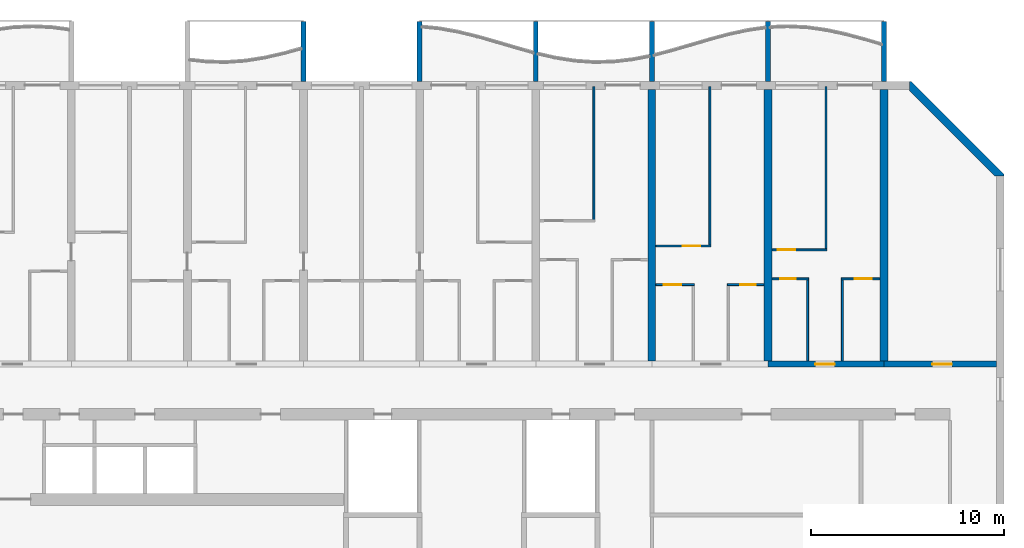
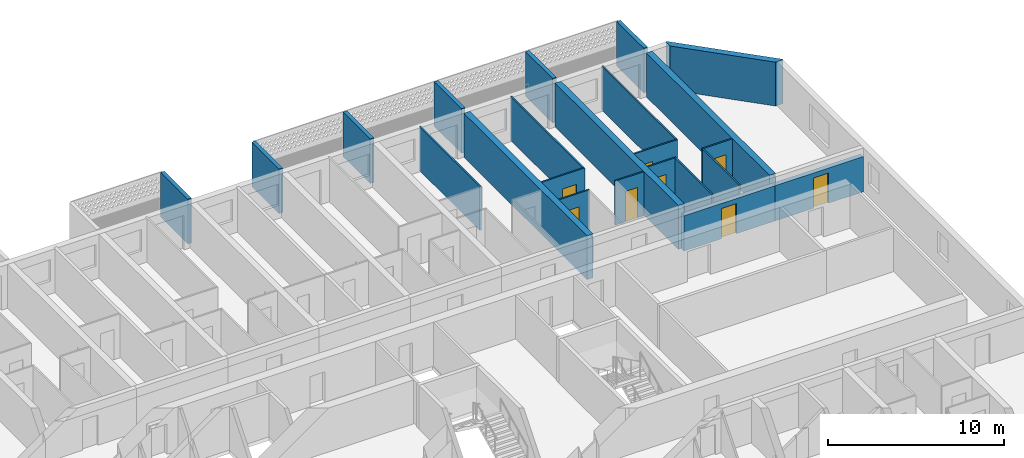
# One storey, part 17 of 40: 23 walls, 8 doors, 8 openings.
"""IFC4 building model written with IfcOpenShell, lengths in metres."""

from ifc_helpers import new_model, si_unit, direction, frame, frame_2d, origin, place, context, subcontext, project, spatial, polyline, rectangle, outline, extrude, source, transform, mapped, material, layer, layer_set, type_object, element, fill, save


model = new_model("IFC4")

# Units and contexts
model_context = context("Model", 3, precision=1e-05, world=origin(), true_north=direction((0.0, 1.0)))
body_context = subcontext(model_context, "Body", "Model", "MODEL_VIEW")
ifc_project = project(units=[si_unit("LENGTHUNIT", "METRE"), si_unit("AREAUNIT", "SQUARE_METRE"), si_unit("VOLUMEUNIT", "CUBIC_METRE"), si_unit("PLANEANGLEUNIT", "RADIAN"), si_unit("MASSUNIT", "GRAM", prefix="KILO")], contexts=[model_context])

# Site, building, storey
site_placement = place(None, origin())
site = spatial("IfcSite", under=ifc_project, at=site_placement, CompositionType="ELEMENT")
building_placement = place(site_placement, origin())
building = spatial("IfcBuilding", under=site, at=building_placement, Name="Poui Terraces", CompositionType="ELEMENT")
storey_placement = place(building_placement, frame((0.0, 0.0, 33.300048828125)))
storey = spatial("IfcBuildingStorey", under=building, at=storey_placement, Name="L08", CompositionType="ELEMENT", Elevation=33.300048828125)

# Wall, opening, door
ifc_material_1 = material(Name="Concrete 80 MPa", Category="concrete")
ifc_layer_1 = layer(ifc_material_1, 0.300048828125)
ifc_layer_set_1 = layer_set([ifc_layer_1], Name="Concrete 80 MPa")
wall_type_1 = type_object("IfcWallType", Name="CORRIDOR WALL 300 80MPa", PredefinedType="SHEAR", material=ifc_layer_set_1)
wall_1_placement = place(storey_placement, frame((90.0, 30.39990234375, 0.0), z_axis=(0.0, 0.0, 1.0), x_axis=(1.0, 0.0, 0.0)))
wall_1 = element("IfcWall", 1, at=wall_1_placement, inside=storey, type_object=wall_type_1, Name="CORRIDOR WALL LINE E BAY 16", PredefinedType="SHEAR", context=body_context, shape_type="SweptSolid", body=[
    extrude(rectangle(XDim=6.0, YDim=0.300048828125, at=frame_2d((3.0, 0.0))), origin(), (0.0, 0.0, 1.0), 2.449951171875),
])
opening_1_placement = place(wall_1_placement, frame((2.449951171875, 0.0, 0.0)))
opening_1 = element("IfcOpeningElement", 2, at=opening_1_placement, cuts=wall_1, Name="Opening FD30S", PredefinedType="OPENING", context=body_context, shape_type="SweptSolid", body=[
    extrude(rectangle(XDim=1.0, YDim=2.10009765625, at=frame_2d((0.5, 1.050048828125))), frame((0.0, 0.16015625, 0.0), z_axis=(0.0, -1.0, 0.0), x_axis=(1.0, 0.0, 0.0)), (0.0, 0.0, 1.0), 0.320068359375),
])
ifc_material_2 = material(Name="Steel fire door", Category="steel")
door_type_1 = type_object("IfcDoorType", Name="FLAT ENTRANCE DOOR 1000 X 2100", OperationType="NOTDEFINED", PredefinedType="DOOR", material=ifc_material_2)
door_1_placement = place(opening_1_placement, origin())
door_1 = element("IfcDoor", 3, at=door_1_placement, inside=storey, type_object=door_type_1, Name="FLAT ENTRANCE DOOR 087", OperationType="SINGLE_SWING_LEFT", OverallHeight=2.10009765625, OverallWidth=1.0, PredefinedType="DOOR", context=body_context, shape_type="SweptSolid", body=[
    extrude(rectangle(XDim=1.0, YDim=2.10009765625, at=frame_2d((0.5, 1.050048828125))), frame((0.0, 0.02490234375, 0.0), z_axis=(0.0, -1.0, 0.0), x_axis=(1.0, 0.0, 0.0)), (0.0, 0.0, 1.0), 0.050048828125),
])
fill(opening_1, door_1)

wall_2_placement = place(storey_placement, frame((96.0, 30.39990234375, 0.0), z_axis=(0.0, 0.0, 1.0), x_axis=(1.0, 0.0, 0.0)))
wall_2 = element("IfcWall", 4, at=wall_2_placement, inside=storey, type_object=wall_type_1, Name="CORRIDOR WALL LINE E BAY 17", PredefinedType="SHEAR", context=body_context, shape_type="SweptSolid", body=[
    extrude(rectangle(XDim=5.800048828125, YDim=0.300048828125, at=frame_2d((2.89990234375, 0.0))), origin(), (0.0, 0.0, 1.0), 2.449951171875),
])
opening_2_placement = place(wall_2_placement, frame((2.5, 0.0, 0.0)))
opening_2 = element("IfcOpeningElement", 5, at=opening_2_placement, cuts=wall_2, Name="Opening D100", PredefinedType="OPENING", context=body_context, shape_type="SweptSolid", body=[
    extrude(rectangle(XDim=1.0, YDim=2.10009765625, at=frame_2d((0.5, 1.050048828125))), frame((0.0, 0.16015625, 0.0), z_axis=(0.0, -1.0, 0.0), x_axis=(1.0, 0.0, 0.0)), (0.0, 0.0, 1.0), 0.320068359375),
])
ifc_material_3 = material(Name="Solid core timber door", Category="wood")
door_type_2 = type_object("IfcDoorType", Name="ACCESSIBLE INTERNAL DOOR 1000 X 2100", OperationType="NOTDEFINED", PredefinedType="DOOR", material=ifc_material_3)
door_2_placement = place(opening_2_placement, origin())
door_2 = element("IfcDoor", 6, at=door_2_placement, inside=storey, type_object=door_type_2, Name="ACCESSIBLE INTERNAL DOOR 089", OperationType="SINGLE_SWING_LEFT", OverallHeight=2.10009765625, OverallWidth=1.0, PredefinedType="DOOR", context=body_context, shape_type="SweptSolid", body=[
    extrude(rectangle(XDim=1.0, YDim=2.10009765625, at=frame_2d((0.5, 1.050048828125))), frame((0.0, 0.02490234375, 0.0), z_axis=(0.0, -1.0, 0.0), x_axis=(1.0, 0.0, 0.0)), (0.0, 0.0, 1.0), 0.050048828125),
])
fill(opening_2, door_2)

# Walls
ifc_layer_2 = layer(ifc_material_1, 0.39990234375)
ifc_layer_set_2 = layer_set([ifc_layer_2], Name="Concrete 80 MPa")
wall_type_2 = type_object("IfcWallType", Name="CROSS WALL 400 80MPa", PredefinedType="SHEAR", material=ifc_layer_set_2)
for number, where, z_axis, x_axis, name in (
    (7, (84.0, 30.550048828125, 0.0), (0.0, 0.0, 1.0), (0.0, 1.0, 0.0), "CROSS WALL LINE 15 NORTH"),
    (8, (90.0, 30.550048828125, 0.0), (0.0, 0.0, 1.0), (0.0, 1.0, 0.0), "CROSS WALL LINE 16 NORTH"),
    (9, (96.0, 30.550048828125, 0.0), (0.0, 0.0, 1.0), (0.0, 1.0, 0.0), "CROSS WALL LINE 17 NORTH"),
):
    element("IfcWall", number, at=place(storey_placement, frame(where, z_axis=z_axis, x_axis=x_axis)), inside=storey, type_object=wall_type_2, Name=name, PredefinedType="SHEAR", context=body_context, shape_type="SweptSolid", body=[
        extrude(rectangle(XDim=14.050048828125, YDim=0.39990234375, at=frame_2d((7.02490234375, 0.0))), origin(), (0.0, 0.0, 1.0), 3.050048828125),
    ])

# Wall, opening, door
ifc_material_4 = material(Name="Plasterboard partition")
ifc_layer_3 = layer(ifc_material_4, 0.10009765625)
ifc_layer_set_3 = layer_set([ifc_layer_3], Name="Plasterboard partition")
wall_type_3 = type_object("IfcWallType", Name="FLAT PARTITION 100", PredefinedType="PARTITIONING", material=ifc_layer_set_3)
wall_3_placement = place(storey_placement, frame((84.2099609375, 34.5, 0.0), z_axis=(0.0, 0.0, 1.0), x_axis=(1.0, 0.0, 0.0)))
wall_3 = element("IfcWall", 10, at=wall_3_placement, inside=storey, type_object=wall_type_3, Name="FLAT PARTITION 100", PredefinedType="PARTITIONING", context=body_context, shape_type="SweptSolid", body=[
    extrude(rectangle(XDim=1.989990234375, YDim=0.10009765625, at=frame_2d((0.9951171875, 0.0))), origin(), (0.0, 0.0, 1.0), 3.050048828125),
])
opening_3_placement = place(wall_3_placement, frame((0.4150390625, 0.0, 0.0)))
opening_3 = element("IfcOpeningElement", 11, at=opening_3_placement, cuts=wall_3, Name="Opening D90", PredefinedType="OPENING", context=body_context, shape_type="SweptSolid", body=[
    extrude(rectangle(XDim=0.89990234375, YDim=2.10009765625, at=frame_2d((0.449951171875, 1.050048828125))), frame((0.0, 0.06005859375, 0.0), z_axis=(0.0, -1.0, 0.0), x_axis=(1.0, 0.0, 0.0)), (0.0, 0.0, 1.0), 0.1201171875),
])
door_type_3 = type_object("IfcDoorType", Name="INTERNAL DOOR 900 X 2100", OperationType="NOTDEFINED", PredefinedType="DOOR", material=ifc_material_3)
door_3_placement = place(opening_3_placement, frame((0.89990234375, 0.0, 0.0), z_axis=(0.0, 0.0, 1.0), x_axis=(-1.0, 0.0, 0.0)))
door_3 = element("IfcDoor", 12, at=door_3_placement, inside=storey, type_object=door_type_3, Name="INTERNAL DOOR 081", OperationType="SINGLE_SWING_LEFT", OverallHeight=2.10009765625, OverallWidth=0.89990234375, PredefinedType="DOOR", context=body_context, shape_type="SweptSolid", body=[
    extrude(rectangle(XDim=0.89990234375, YDim=2.10009765625, at=frame_2d((0.449951171875, 1.050048828125))), frame((0.0, 0.02490234375, 0.0), z_axis=(0.0, -1.0, 0.0), x_axis=(1.0, 0.0, 0.0)), (0.0, 0.0, 1.0), 0.050048828125),
])
fill(opening_3, door_3)

wall_4_placement = place(storey_placement, frame((87.89990234375, 34.5, 0.0), z_axis=(0.0, 0.0, 1.0), x_axis=(1.0, 0.0, 0.0)))
wall_4 = element("IfcWall", 13, at=wall_4_placement, inside=storey, type_object=wall_type_3, Name="FLAT PARTITION 100", PredefinedType="PARTITIONING", context=body_context, shape_type="SweptSolid", body=[
    extrude(rectangle(XDim=1.89013671875, YDim=0.10009765625, at=frame_2d((0.945068359375, 0.0))), origin(), (0.0, 0.0, 1.0), 3.050048828125),
])
opening_4_placement = place(wall_4_placement, frame((0.675048828125, 0.0, 0.0)))
opening_4 = element("IfcOpeningElement", 14, at=opening_4_placement, cuts=wall_4, Name="Opening D80", PredefinedType="OPENING", context=body_context, shape_type="SweptSolid", body=[
    extrude(rectangle(XDim=0.800048828125, YDim=2.10009765625, at=frame_2d((0.39990234375, 1.050048828125))), frame((0.0, 0.06005859375, 0.0), z_axis=(0.0, -1.0, 0.0), x_axis=(1.0, 0.0, 0.0)), (0.0, 0.0, 1.0), 0.1201171875),
])
door_type_4 = type_object("IfcDoorType", Name="BATHROOM, LAUNDRY AND STORE DOOR 800 X 2100", OperationType="NOTDEFINED", PredefinedType="DOOR", material=ifc_material_3)
door_4_placement = place(opening_4_placement, frame((0.800048828125, 0.0, 0.0), z_axis=(0.0, 0.0, 1.0), x_axis=(-1.0, 0.0, 0.0)))
door_4 = element("IfcDoor", 15, at=door_4_placement, inside=storey, type_object=door_type_4, Name="BATHROOM, LAUNDRY AND STORE DOOR 084", OperationType="SINGLE_SWING_RIGHT", OverallHeight=2.10009765625, OverallWidth=0.800048828125, PredefinedType="DOOR", context=body_context, shape_type="SweptSolid", body=[
    extrude(rectangle(XDim=0.800048828125, YDim=2.10009765625, at=frame_2d((0.39990234375, 1.050048828125))), frame((0.0, 0.02490234375, 0.0), z_axis=(0.0, -1.0, 0.0), x_axis=(1.0, 0.0, 0.0)), (0.0, 0.0, 1.0), 0.050048828125),
])
fill(opening_4, door_4)

wall_5_placement = place(storey_placement, frame((90.2099609375, 34.800048828125, 0.0), z_axis=(0.0, 0.0, 1.0), x_axis=(1.0, 0.0, 0.0)))
wall_5 = element("IfcWall", 16, at=wall_5_placement, inside=storey, type_object=wall_type_3, Name="FLAT PARTITION 100", PredefinedType="PARTITIONING", context=body_context, shape_type="SweptSolid", body=[
    extrude(rectangle(XDim=1.89013671875, YDim=0.10009765625, at=frame_2d((0.945068359375, 0.0))), origin(), (0.0, 0.0, 1.0), 3.050048828125),
])
opening_5_placement = place(wall_5_placement, frame((0.4150390625, 0.0, 0.0)))
opening_5 = element("IfcOpeningElement", 17, at=opening_5_placement, cuts=wall_5, Name="Opening D80", PredefinedType="OPENING", context=body_context, shape_type="SweptSolid", body=[
    extrude(rectangle(XDim=0.800048828125, YDim=2.10009765625, at=frame_2d((0.39990234375, 1.050048828125))), frame((0.0, 0.06005859375, 0.0), z_axis=(0.0, -1.0, 0.0), x_axis=(1.0, 0.0, 0.0)), (0.0, 0.0, 1.0), 0.1201171875),
])
door_5_placement = place(opening_5_placement, frame((0.800048828125, 0.0, 0.0), z_axis=(0.0, 0.0, 1.0), x_axis=(-1.0, 0.0, 0.0)))
door_5 = element("IfcDoor", 18, at=door_5_placement, inside=storey, type_object=door_type_4, Name="BATHROOM, LAUNDRY AND STORE DOOR 086", OperationType="SINGLE_SWING_RIGHT", OverallHeight=2.10009765625, OverallWidth=0.800048828125, PredefinedType="DOOR", context=body_context, shape_type="SweptSolid", body=[
    extrude(rectangle(XDim=0.800048828125, YDim=2.10009765625, at=frame_2d((0.39990234375, 1.050048828125))), frame((0.0, 0.02490234375, 0.0), z_axis=(0.0, -1.0, 0.0), x_axis=(1.0, 0.0, 0.0)), (0.0, 0.0, 1.0), 0.050048828125),
])
fill(opening_5, door_5)

wall_6_placement = place(storey_placement, frame((93.800048828125, 34.800048828125, 0.0), z_axis=(0.0, 0.0, 1.0), x_axis=(1.0, 0.0, 0.0)))
wall_6 = element("IfcWall", 19, at=wall_6_placement, inside=storey, type_object=wall_type_3, Name="FLAT PARTITION 100", PredefinedType="PARTITIONING", context=body_context, shape_type="SweptSolid", body=[
    extrude(rectangle(XDim=1.989990234375, YDim=0.10009765625, at=frame_2d((0.9951171875, 0.0))), origin(), (0.0, 0.0, 1.0), 3.050048828125),
])
opening_6_placement = place(wall_6_placement, frame((0.675048828125, 0.0, 0.0)))
opening_6 = element("IfcOpeningElement", 20, at=opening_6_placement, cuts=wall_6, Name="Opening D90", PredefinedType="OPENING", context=body_context, shape_type="SweptSolid", body=[
    extrude(rectangle(XDim=0.89990234375, YDim=2.10009765625, at=frame_2d((0.449951171875, 1.050048828125))), frame((0.0, 0.06005859375, 0.0), z_axis=(0.0, -1.0, 0.0), x_axis=(1.0, 0.0, 0.0)), (0.0, 0.0, 1.0), 0.1201171875),
])
door_6_placement = place(opening_6_placement, frame((0.89990234375, 0.0, 0.0), z_axis=(0.0, 0.0, 1.0), x_axis=(-1.0, 0.0, 0.0)))
door_6 = element("IfcDoor", 21, at=door_6_placement, inside=storey, type_object=door_type_3, Name="INTERNAL DOOR 088", OperationType="SINGLE_SWING_LEFT", OverallHeight=2.10009765625, OverallWidth=0.89990234375, PredefinedType="DOOR", context=body_context, shape_type="SweptSolid", body=[
    extrude(rectangle(XDim=0.89990234375, YDim=2.10009765625, at=frame_2d((0.449951171875, 1.050048828125))), frame((0.0, 0.02490234375, 0.0), z_axis=(0.0, -1.0, 0.0), x_axis=(1.0, 0.0, 0.0)), (0.0, 0.0, 1.0), 0.050048828125),
])
fill(opening_6, door_6)

wall_7_placement = place(storey_placement, frame((90.2099609375, 36.300048828125, 0.0), z_axis=(0.0, 0.0, 1.0), x_axis=(1.0, 0.0, 0.0)))
wall_7 = element("IfcWall", 22, at=wall_7_placement, inside=storey, type_object=wall_type_3, Name="FLAT PARTITION 100", PredefinedType="PARTITIONING", context=body_context, shape_type="SweptSolid", body=[
    extrude(rectangle(XDim=2.840087890625, YDim=0.10009765625, at=frame_2d((1.419921875, 0.0))), origin(), (0.0, 0.0, 1.0), 3.050048828125),
])
opening_7_placement = place(wall_7_placement, frame((0.2900390625, 0.0, 0.0)))
opening_7 = element("IfcOpeningElement", 23, at=opening_7_placement, cuts=wall_7, Name="Opening D90", PredefinedType="OPENING", context=body_context, shape_type="SweptSolid", body=[
    extrude(rectangle(XDim=0.89990234375, YDim=2.10009765625, at=frame_2d((0.449951171875, 1.050048828125))), frame((0.0, 0.06005859375, 0.0), z_axis=(0.0, -1.0, 0.0), x_axis=(1.0, 0.0, 0.0)), (0.0, 0.0, 1.0), 0.1201171875),
])
door_7_placement = place(opening_7_placement, frame((0.89990234375, 0.0, 0.0), z_axis=(0.0, 0.0, 1.0), x_axis=(-1.0, 0.0, 0.0)))
door_7 = element("IfcDoor", 24, at=door_7_placement, inside=storey, type_object=door_type_3, Name="INTERNAL DOOR 085", OperationType="SINGLE_SWING_LEFT", OverallHeight=2.10009765625, OverallWidth=0.89990234375, PredefinedType="DOOR", context=body_context, shape_type="SweptSolid", body=[
    extrude(rectangle(XDim=0.89990234375, YDim=2.10009765625, at=frame_2d((0.449951171875, 1.050048828125))), frame((0.0, 0.02490234375, 0.0), z_axis=(0.0, -1.0, 0.0), x_axis=(1.0, 0.0, 0.0)), (0.0, 0.0, 1.0), 0.050048828125),
])
fill(opening_7, door_7)

wall_8_placement = place(storey_placement, frame((84.2099609375, 36.5, 0.0), z_axis=(0.0, 0.0, 1.0), x_axis=(1.0, 0.0, 0.0)))
wall_8 = element("IfcWall", 25, at=wall_8_placement, inside=storey, type_object=wall_type_3, Name="FLAT PARTITION 100", PredefinedType="PARTITIONING", context=body_context, shape_type="SweptSolid", body=[
    extrude(rectangle(XDim=2.840087890625, YDim=0.10009765625, at=frame_2d((1.419921875, 0.0))), origin(), (0.0, 0.0, 1.0), 3.050048828125),
])
opening_8_placement = place(wall_8_placement, frame((1.389892578125, 0.0, 0.0)))
opening_8 = element("IfcOpeningElement", 26, at=opening_8_placement, cuts=wall_8, Name="Opening D90", PredefinedType="OPENING", context=body_context, shape_type="SweptSolid", body=[
    extrude(rectangle(XDim=0.89990234375, YDim=2.10009765625, at=frame_2d((0.449951171875, 1.050048828125))), frame((0.0, 0.06005859375, 0.0), z_axis=(0.0, -1.0, 0.0), x_axis=(1.0, 0.0, 0.0)), (0.0, 0.0, 1.0), 0.1201171875),
])
door_8_placement = place(opening_8_placement, frame((0.89990234375, 0.0, 0.0), z_axis=(0.0, 0.0, 1.0), x_axis=(-1.0, 0.0, 0.0)))
door_8 = element("IfcDoor", 27, at=door_8_placement, inside=storey, type_object=door_type_3, Name="INTERNAL DOOR 082", OperationType="SINGLE_SWING_RIGHT", OverallHeight=2.10009765625, OverallWidth=0.89990234375, PredefinedType="DOOR", context=body_context, shape_type="SweptSolid", body=[
    extrude(rectangle(XDim=0.89990234375, YDim=2.10009765625, at=frame_2d((0.449951171875, 1.050048828125))), frame((0.0, 0.02490234375, 0.0), z_axis=(0.0, -1.0, 0.0), x_axis=(1.0, 0.0, 0.0)), (0.0, 0.0, 1.0), 0.050048828125),
])
fill(opening_8, door_8)

# Walls
wall_9_placement = place(storey_placement, frame((81.0, 37.85009765625, 0.0), z_axis=(0.0, 0.0, 1.0), x_axis=(0.0, 1.0, 0.0)))
element("IfcWall", 28, at=wall_9_placement, inside=storey, type_object=wall_type_3, Name="FLAT PARTITION 100", PredefinedType="PARTITIONING", context=body_context, shape_type="SweptSolid", body=[
    extrude(rectangle(XDim=6.889892578125, YDim=0.10009765625, at=frame_2d((3.44482421875, 0.0))), origin(), (0.0, 0.0, 1.0), 3.050048828125),
])
wall_10_placement = place(storey_placement, frame((87.0, 36.550048828125, 0.0), z_axis=(0.0, 0.0, 1.0), x_axis=(0.0, 1.0, 0.0)))
element("IfcWall", 29, at=wall_10_placement, inside=storey, type_object=wall_type_3, Name="FLAT PARTITION 100", PredefinedType="PARTITIONING", context=body_context, shape_type="SweptSolid", body=[
    extrude(rectangle(XDim=8.18994140625, YDim=0.10009765625, at=frame_2d((4.094970703125, 0.0))), origin(), (0.0, 0.0, 1.0), 3.050048828125),
])
wall_11_placement = place(storey_placement, frame((92.050048828125, 30.56005859375, 0.0), z_axis=(0.0, 0.0, 1.0), x_axis=(0.0, 1.0, 0.0)))
element("IfcWall", 30, at=wall_11_placement, inside=storey, type_object=wall_type_3, Name="FLAT PARTITION 100", PredefinedType="PARTITIONING", context=body_context, shape_type="SweptSolid", body=[
    extrude(rectangle(XDim=4.18994140625, YDim=0.10009765625, at=frame_2d((2.094970703125, 0.0))), origin(), (0.0, 0.0, 1.0), 3.050048828125),
])
wall_12_placement = place(storey_placement, frame((93.0, 36.35009765625, 0.0), z_axis=(0.0, 0.0, 1.0), x_axis=(0.0, 1.0, 0.0)))
element("IfcWall", 31, at=wall_12_placement, inside=storey, type_object=wall_type_3, Name="FLAT PARTITION 100", PredefinedType="PARTITIONING", context=body_context, shape_type="SweptSolid", body=[
    extrude(rectangle(XDim=8.389892578125, YDim=0.10009765625, at=frame_2d((4.19482421875, 0.0))), origin(), (0.0, 0.0, 1.0), 3.050048828125),
])
wall_13_placement = place(storey_placement, frame((93.85009765625, 30.56005859375, 0.0), z_axis=(0.0, 0.0, 1.0), x_axis=(0.0, 1.0, 0.0)))
element("IfcWall", 32, at=wall_13_placement, inside=storey, type_object=wall_type_3, Name="FLAT PARTITION 100", PredefinedType="PARTITIONING", context=body_context, shape_type="SweptSolid", body=[
    extrude(rectangle(XDim=4.18994140625, YDim=0.10009765625, at=frame_2d((2.094970703125, 0.0))), origin(), (0.0, 0.0, 1.0), 3.050048828125),
])
ifc_material_5 = material(Name="Precast concrete 40 MPa", Category="concrete")
ifc_layer_4 = layer(ifc_material_5, 0.39990234375)
ifc_layer_set_4 = layer_set([ifc_layer_4], Name="Precast concrete 40 MPa")
wall_type_4 = type_object("IfcWallType", Name="TERRACOTTA CLAD CHAMFER WALL 400", PredefinedType="STANDARD", material=ifc_layer_set_4)
wall_14_placement = place(storey_placement, origin())
element("IfcWall", 33, at=wall_14_placement, inside=storey, type_object=wall_type_4, Name="CHAMFER WALL CH03", PredefinedType="STANDARD", context=body_context, shape_type="SweptSolid", body=[
    extrude(outline(polyline([(102.199951171875, 40.1171875), (102.199951171875, 40.199951171875), (97.39990234375, 45.0), (97.317138671875, 45.0), (97.317138671875, 44.51708984375), (101.71728515625, 40.1171875), (102.199951171875, 40.1171875)])), origin(), (0.0, 0.0, 1.0), 3.050048828125),
])
ifc_layer_5 = layer(ifc_material_5, 0.25)
ifc_layer_set_5 = layer_set([ifc_layer_5], Name="Precast concrete 40 MPa")
wall_type_5 = type_object("IfcWallType", Name="BALCONY FIN 250", PredefinedType="STANDARD", material=ifc_layer_set_5)
shared_shape = source(origin(), body_context, "Body", "SweptSolid", [
    extrude(outline(polyline([(0.0, 0.0), (0.25, 0.0), (0.25, 3.10009765625), (0.0, 3.10009765625), (0.0, 0.0)])), origin(), (0.0, 0.0, 1.0), 3.099853515625),
])
for number, where, name in (
    (34, (65.875, 45.0, 0.0), "BALCONY FIN"),
    (35, (71.875, 45.0, 0.0), "BALCONY FIN"),
    (36, (77.875, 45.0, 0.0), "BALCONY FIN"),
    (37, (83.875, 45.0, 0.0), "BALCONY FIN"),
    (38, (89.875, 45.0, 0.0), "BALCONY FIN"),
    (39, (95.875, 45.0, 0.0), "BALCONY FIN"),
):
    element("IfcWall", number, at=place(storey_placement, frame(where)), inside=storey, type_object=wall_type_5, Name=name, PredefinedType="STANDARD", context=body_context, shape_type="MappedRepresentation", body=[
        mapped(shared_shape, transform((0.0, 0.0, 0.0))),
    ])

save(model, "model.ifc")
